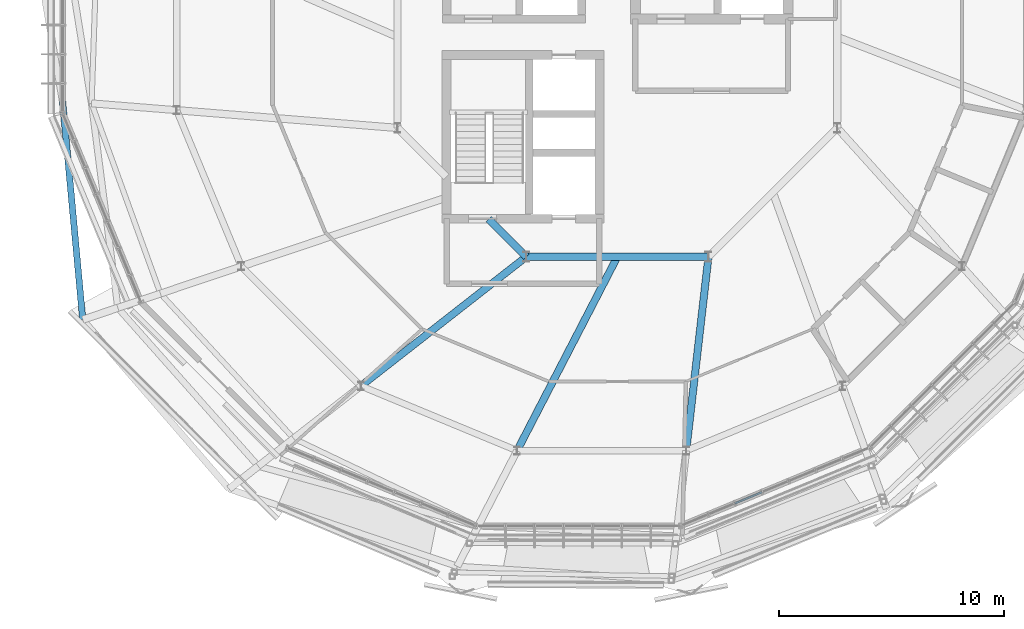
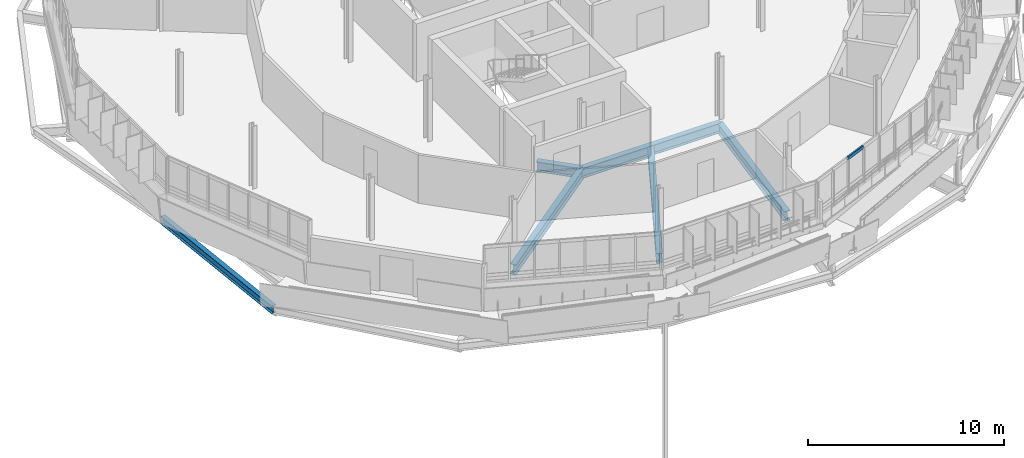
# One storey, part 6 of 38: 6 beams, 1 member, 1 element without a shape of its own.
"""IFC4 building model written with IfcOpenShell, lengths in metres."""

from ifc_helpers import new_model, si_unit, derived_unit, direction, frame, origin, origin_2d, place, context, subcontext, project, spatial, hollow_rectangle, i_section, extrude, material, layer, layer_set, material_profile, profile_set, type_object, element, aggregate, save


model = new_model("IFC4")

# Units and contexts
model_context = context("Model", 3, precision=1e-05, world=origin(), true_north=direction((0.0, 1.0)))
body_context = subcontext(model_context, "Body", "Model", "MODEL_VIEW")
ifc_project = project(units=[si_unit("LENGTHUNIT", "METRE"), si_unit("AREAUNIT", "SQUARE_METRE"), si_unit("VOLUMEUNIT", "CUBIC_METRE"), si_unit("PLANEANGLEUNIT", "RADIAN"), si_unit("MASSUNIT", "GRAM", prefix="KILO"), derived_unit("THERMALTRANSMITTANCEUNIT", [(si_unit("MASSUNIT", "GRAM", prefix="KILO"), 1), (si_unit("TIMEUNIT", "SECOND"), -3), (si_unit("THERMODYNAMICTEMPERATUREUNIT", "KELVIN"), -1)])], contexts=[model_context])

# Site, building, storey
site_placement = place(None, origin())
site = spatial("IfcSite", under=ifc_project, at=site_placement, CompositionType="ELEMENT")
building_placement = place(site_placement, origin())
building = spatial("IfcBuilding", under=site, at=building_placement, Name="Makaiwela Harbour Ferry Terminal", CompositionType="ELEMENT")
storey_placement = place(building_placement, frame((0.0, 0.0, 17.699951171875)))
storey = spatial("IfcBuildingStorey", under=building, at=storey_placement, Name="L04", CompositionType="ELEMENT", Elevation=17.699951171875)

# Curtain wall, member
ifc_material_1 = material(Name="Marine anodised aluminium 6063-T6", Category="aluminium")
ifc_layer = layer(ifc_material_1, 0.199951171875)
ifc_layer_set = layer_set([ifc_layer], Name="Marine anodised aluminium 6063-T6")
curtain_wall_type = type_object("IfcCurtainWallType", Name="ENV-CW-06", PredefinedType="USERDEFINED", material=ifc_layer_set)
curtain_wall_placement = place(storey_placement, origin())
curtain_wall = element("IfcCurtainWall", 1, at=curtain_wall_placement, inside=storey, type_object=curtain_wall_type, Name="Unitised Curtain Wall CWA-054", ObjectType="UNITIZED CURTAIN WALL", PredefinedType="USERDEFINED")
ifc_material_profile_1 = material_profile(ifc_material_1, hollow_rectangle(XDim=0.0849609375, YDim=0.199951171875, WallThickness=0.0048828125, at=origin_2d()), Name="CWT-200X85")
ifc_profile_set_1 = profile_set([ifc_material_profile_1], Name="Marine anodised aluminium 6063-T6")
member_type = type_object("IfcMemberType", Name="CW-TRN-200", PredefinedType="USERDEFINED", material=ifc_profile_set_1)
member_placement = place(storey_placement, frame((43.037109375, 46.82275390625, 3.679931640625), z_axis=(0.92387214393, 0.382701269492, 0.0), x_axis=(-0.382701269492, 0.92387214393, 0.0)))
member = element("IfcMember", 2, at=member_placement, type_object=member_type, Name="Curtain Wall Transom CWA-054-3-3", ObjectType="TRANSOM", PredefinedType="USERDEFINED", context=body_context, shape_type="SweptSolid", body=[
    extrude(hollow_rectangle(XDim=0.0849609375, YDim=0.199951171875, WallThickness=0.0048828125, at=origin_2d()), origin(), (0.0, 0.0, 1.0), 1.295654296875),
])
aggregate(curtain_wall, [member])

# Beams
ifc_material_2 = material(Name="Steel ASTM A992 Grade 50", Category="steel")
ifc_material_profile_2 = material_profile(ifc_material_2, i_section(OverallWidth=0.324951171875, OverallDepth=0.615966796875, WebThickness=0.013916015625, FlangeThickness=0.021484375, at=origin_2d()), Name="W24X117")
ifc_profile_set_2 = profile_set([ifc_material_profile_2], Name="Steel ASTM A992 Grade 50")
beam_type_1 = type_object("IfcBeamType", Name="STR-GRD-W24X117", PredefinedType="USERDEFINED", material=ifc_profile_set_2)
beam_1_placement = place(storey_placement, frame((32.070556640625, 59.47998046875, -0.56298828125), z_axis=(0.707106781187, -0.707106781187, 0.0), x_axis=(0.707106781187, 0.707106781187, 0.0)))
element("IfcBeam", 3, at=beam_1_placement, inside=storey, type_object=beam_type_1, Name="Drum inner ring girder 377", ObjectType="GIRDER", PredefinedType="USERDEFINED", context=body_context, shape_type="SweptSolid", body=[
    extrude(i_section(OverallWidth=0.324951171875, OverallDepth=0.615966796875, WebThickness=0.013916015625, FlangeThickness=0.021484375, at=origin_2d()), origin(), (0.0, 0.0, 1.0), 2.3662109375),
])
beam_2_placement = place(storey_placement, frame((33.74365234375, 57.806884765625, -0.56298828125), z_axis=(1.0, 0.0, 0.0), x_axis=(0.0, 1.0, 0.0)))
element("IfcBeam", 4, at=beam_2_placement, inside=storey, type_object=beam_type_1, Name="Drum inner ring girder 378", ObjectType="GIRDER", PredefinedType="USERDEFINED", context=body_context, shape_type="SweptSolid", body=[
    extrude(i_section(OverallWidth=0.324951171875, OverallDepth=0.615966796875, WebThickness=0.013916015625, FlangeThickness=0.021484375, at=origin_2d()), origin(), (0.0, 0.0, 1.0), 8.11279296875),
])
beam_3_placement = place(storey_placement, frame((33.74365234375, 57.806884765625, -0.56298828125), z_axis=(-0.78804813165, -0.615613630618, 0.0), x_axis=(0.615613630618, -0.78804813165, 0.0)))
element("IfcBeam", 5, at=beam_3_placement, inside=storey, type_object=beam_type_1, Name="Drum radial girder 434", ObjectType="GIRDER", PredefinedType="USERDEFINED", context=body_context, shape_type="SweptSolid", body=[
    extrude(i_section(OverallWidth=0.324951171875, OverallDepth=0.615966796875, WebThickness=0.013916015625, FlangeThickness=0.021484375, at=origin_2d()), origin(), (0.0, 0.0, 1.0), 9.347412109375),
])
beam_4_placement = place(storey_placement, frame((37.800048828125, 57.806884765625, -0.56298828125), z_axis=(-0.459296530257, -0.888283005181, 0.0), x_axis=(0.888283005181, -0.459296530257, 0.0)))
element("IfcBeam", 6, at=beam_4_placement, inside=storey, type_object=beam_type_1, Name="Drum radial girder 438", ObjectType="GIRDER", PredefinedType="USERDEFINED", context=body_context, shape_type="SweptSolid", body=[
    extrude(i_section(OverallWidth=0.324951171875, OverallDepth=0.615966796875, WebThickness=0.013916015625, FlangeThickness=0.021484375, at=origin_2d()), origin(), (0.0, 0.0, 1.0), 9.72216796875),
])
beam_5_placement = place(storey_placement, frame((41.8564453125, 57.806884765625, -0.56298828125), z_axis=(-0.11402817728, -0.993477515994, 0.0), x_axis=(0.993477515994, -0.11402817728, 0.0)))
element("IfcBeam", 7, at=beam_5_placement, inside=storey, type_object=beam_type_1, Name="Drum radial girder 441", ObjectType="GIRDER", PredefinedType="USERDEFINED", context=body_context, shape_type="SweptSolid", body=[
    extrude(i_section(OverallWidth=0.324951171875, OverallDepth=0.615966796875, WebThickness=0.013916015625, FlangeThickness=0.021484375, at=origin_2d()), origin(), (0.0, 0.0, 1.0), 8.692626953125),
])
ifc_material_profile_3 = material_profile(ifc_material_2, i_section(OverallWidth=0.283935546875, OverallDepth=0.47607421875, WebThickness=0.014892578125, FlangeThickness=0.02392578125, at=origin_2d()), Name="W18X106")
ifc_profile_set_3 = profile_set([ifc_material_profile_3], Name="Steel ASTM A992 Grade 50")
beam_type_2 = type_object("IfcBeamType", Name="STR-SPN-W18X106", PredefinedType="SPANDREL", material=ifc_profile_set_3)
beam_6_placement = place(storey_placement, frame((13.08984375, 64.743408203125, -0.492919921875), z_axis=(0.092052890616, -0.995754118912, 0.0), x_axis=(0.995754118912, 0.092052890616, 0.0)))
element("IfcBeam", 8, at=beam_6_placement, inside=storey, type_object=beam_type_2, Name="Drum perimeter spandrel 488", PredefinedType="SPANDREL", context=body_context, shape_type="SweptSolid", body=[
    extrude(i_section(OverallWidth=0.283935546875, OverallDepth=0.47607421875, WebThickness=0.014892578125, FlangeThickness=0.02392578125, at=origin_2d()), origin(), (0.0, 0.0, 1.0), 9.778564453125),
])

save(model, "model.ifc")
